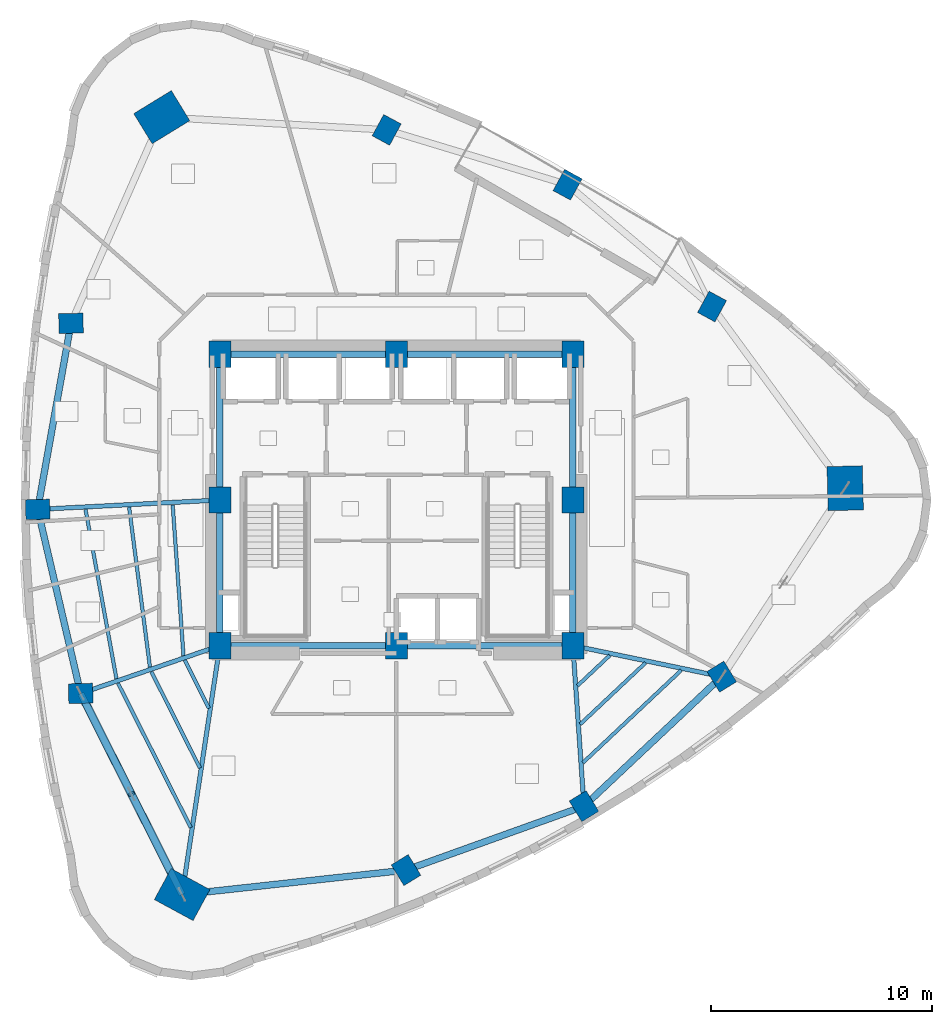
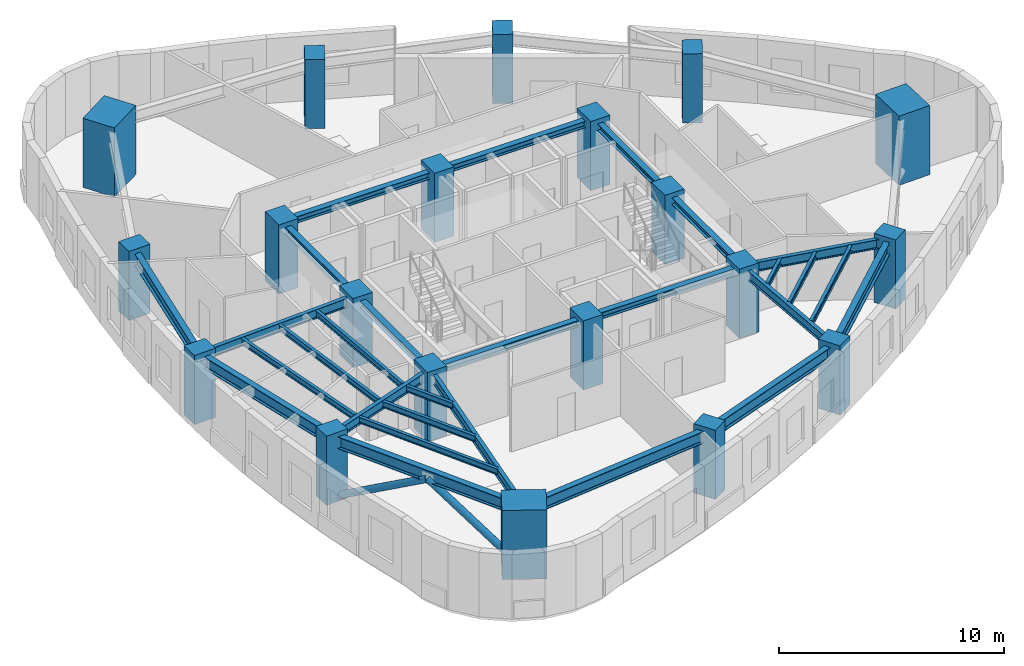
# One storey, part 1 of 14: 28 beams, 20 columns, 2 members.
"""IFC4 building model written with IfcOpenShell, lengths in metres."""

from ifc_helpers import new_model, si_unit, direction, frame, origin, origin_2d, place, context, subcontext, project, spatial, rectangle, hollow_circle, i_section, extrude, material, material_profile, profile_set, type_object, element, save


model = new_model("IFC4")

# Units and contexts
model_context = context("Model", 3, precision=1e-05, world=origin(), true_north=direction((0.0, 1.0)))
body_context = subcontext(model_context, "Body", "Model", "MODEL_VIEW")
ifc_project = project(units=[si_unit("LENGTHUNIT", "METRE"), si_unit("AREAUNIT", "SQUARE_METRE"), si_unit("VOLUMEUNIT", "CUBIC_METRE"), si_unit("PLANEANGLEUNIT", "RADIAN"), si_unit("MASSUNIT", "GRAM", prefix="KILO")], contexts=[model_context])

# Site, building, storey
site_placement = place(None, origin())
site = spatial("IfcSite", under=ifc_project, at=site_placement, CompositionType="ELEMENT")
building_placement = place(site_placement, origin())
building = spatial("IfcBuilding", under=site, at=building_placement, Name="Ndelora Gate Hotel", CompositionType="ELEMENT")
storey_placement = place(building_placement, frame((0.0, 0.0, 119.75)))
storey = spatial("IfcBuildingStorey", under=building, at=storey_placement, Name="L29", CompositionType="ELEMENT", Elevation=119.75)

# Columns
ifc_material_1 = material(Name="Concrete C60/75", Category="concrete")
ifc_material_profile_1 = material_profile(ifc_material_1, rectangle(XDim=1.0, YDim=1.199951171875, at=origin_2d()), Name="RC 1200x1000")
ifc_profile_set_1 = profile_set([ifc_material_profile_1], Name="Concrete C60/75")
column_type_1 = type_object("IfcColumnType", Name="COL-CC-MID", PredefinedType="COLUMN", material=ifc_profile_set_1)
for number, where, z_axis, x_axis, name in (
    (1, (-8.0, -6.60009765625, 0.0), (0.0, 0.0, 1.0), (1.0, 0.0, 0.0), "L29 Core Column CC1"),
    (2, (0.0, -6.60009765625, 0.0), (0.0, 0.0, 1.0), (1.0, 0.0, 0.0), "L29 Core Column CC2"),
    (3, (8.0, -6.60009765625, 0.0), (0.0, 0.0, 1.0), (1.0, 0.0, 0.0), "L29 Core Column CC3"),
    (4, (8.0, 0.0, 0.0), (0.0, 0.0, 1.0), (1.0, 0.0, 0.0), "L29 Core Column CC4"),
    (5, (8.0, 6.60009765625, 0.0), (0.0, 0.0, 1.0), (1.0, 0.0, 0.0), "L29 Core Column CC5"),
    (6, (0.0, 6.60009765625, 0.0), (0.0, 0.0, 1.0), (1.0, 0.0, 0.0), "L29 Core Column CC6"),
    (7, (-8.0, 6.60009765625, 0.0), (0.0, 0.0, 1.0), (1.0, 0.0, 0.0), "L29 Core Column CC7"),
    (8, (-8.0, 0.0, 0.0), (0.0, 0.0, 1.0), (1.0, 0.0, 0.0), "L29 Core Column CC8"),
):
    element("IfcColumn", number, at=place(storey_placement, frame(where, z_axis=z_axis, x_axis=x_axis)), inside=storey, type_object=column_type_1, Name=name, PredefinedType="COLUMN", context=body_context, shape_type="SweptSolid", body=[
        extrude(rectangle(XDim=1.0, YDim=1.199951171875, at=origin_2d()), origin(), (0.0, 0.0, 1.0), 3.75),
    ])
ifc_material_profile_2 = material_profile(ifc_material_1, rectangle(XDim=1.60009765625, YDim=2.0, at=origin_2d()), Name="RC 2000x1600")
ifc_profile_set_2 = profile_set([ifc_material_profile_2], Name="Concrete C60/75")
column_type_2 = type_object("IfcColumnType", Name="COL-MC-Z2", PredefinedType="COLUMN", material=ifc_profile_set_2)
for number, where, z_axis, x_axis, name in (
    (9, (-10.63330078125, 17.351806640625, 0.0), (0.0, 0.0, 1.0), (-0.522498564716, 0.852640164354, 0.0), "L29 Corner Mega-Column R1"),
    (10, (-9.71044921875, -17.884521484375, 0.0), (0.0, 0.0, 1.0), (0.47715876026, 0.878817112662, 0.0), "L29 Corner Mega-Column R5"),
    (11, (20.34375, 0.53271484375, 0.0), (0.0, 0.0, 1.0), (0.999657324976, 0.026176948308, 0.0), "L29 Corner Mega-Column R9"),
):
    element("IfcColumn", number, at=place(storey_placement, frame(where, z_axis=z_axis, x_axis=x_axis)), inside=storey, type_object=column_type_2, Name=name, PredefinedType="COLUMN", context=body_context, shape_type="SweptSolid", body=[
        extrude(rectangle(XDim=1.60009765625, YDim=2.0, at=origin_2d()), origin(), (0.0, 0.0, 1.0), 3.75),
    ])
ifc_material_profile_3 = material_profile(ifc_material_1, rectangle(XDim=0.89990234375, YDim=1.10009765625, at=origin_2d()), Name="RC 1100x900")
ifc_profile_set_3 = profile_set([ifc_material_profile_3], Name="Concrete C60/75")
column_type_3 = type_object("IfcColumnType", Name="COL-PT-Z2", PredefinedType="COLUMN", material=ifc_profile_set_3)
for number, where, z_axis, x_axis, name in (
    (12, (-14.74658203125, 8.006591796875, 0.0), (0.0, 0.0, 1.0), (-0.026176948308, 0.999657324976, 0.0), "L29 Perimeter Tube Column R2"),
    (13, (-16.25537109375, -0.42578125, 0.0), (0.0, 0.0, 1.0), (-0.026176948308, 0.999657324976, 0.0), "L29 Perimeter Tube Column R3"),
    (14, (-14.307373046875, -8.767578125, 0.0), (0.0, 0.0, 1.0), (-0.026176948308, 0.999657324976, 0.0), "L29 Perimeter Tube Column R4"),
    (15, (0.439208984375, -16.7744140625, 0.0), (0.0, 0.0, 1.0), (0.852640164354, 0.522498564716, 0.0), "L29 Perimeter Tube Column R6"),
    (16, (8.50439453125, -13.878173828125, 0.0), (0.0, 0.0, 1.0), (0.852640164354, 0.522498564716, 0.0), "L29 Perimeter Tube Column R7"),
    (17, (14.74658203125, -8.006591796875, 0.0), (0.0, 0.0, 1.0), (0.852640164354, 0.522498564716, 0.0), "L29 Perimeter Tube Column R8"),
    (18, (14.30712890625, 8.767333984375, 0.0), (0.0, 0.0, 1.0), (-0.878817112662, 0.47715876026, 0.0), "L29 Perimeter Tube Column R10"),
    (19, (7.759033203125, 14.290283203125, 0.0), (0.0, 0.0, 1.0), (-0.878817112662, 0.47715876026, 0.0), "L29 Perimeter Tube Column R11"),
    (20, (-0.439208984375, 16.7744140625, 0.0), (0.0, 0.0, 1.0), (-0.878817112662, 0.47715876026, 0.0), "L29 Perimeter Tube Column R12"),
):
    element("IfcColumn", number, at=place(storey_placement, frame(where, z_axis=z_axis, x_axis=x_axis)), inside=storey, type_object=column_type_3, Name=name, PredefinedType="COLUMN", context=body_context, shape_type="SweptSolid", body=[
        extrude(rectangle(XDim=0.89990234375, YDim=1.10009765625, at=origin_2d()), origin(), (0.0, 0.0, 1.0), 3.75),
    ])

# Beams
ifc_material_2 = material(Name="Steel S355", Category="steel")
ifc_material_profile_4 = material_profile(ifc_material_2, i_section(OverallWidth=0.300048828125, OverallDepth=0.360107421875, WebThickness=0.012451171875, FlangeThickness=0.0224609375, FilletRadius=0.027099609375, at=origin_2d()), Name="HEB 360")
ifc_profile_set_4 = profile_set([ifc_material_profile_4], Name="Steel S355")
beam_type_1 = type_object("IfcBeamType", Name="BM-CORE-360", PredefinedType="BEAM", material=ifc_profile_set_4)
for number, where, z_axis, x_axis, name in (
    (21, (-8.0, 6.60009765625, 3.320068359375), (1.0, 0.0, 0.0), (0.0, 1.0, 0.0), "L29 Core Tie Girder CC7-CC6"),
    (22, (0.0, 6.60009765625, 3.320068359375), (1.0, 0.0, 0.0), (0.0, 1.0, 0.0), "L29 Core Tie Girder CC6-CC5"),
):
    element("IfcBeam", number, at=place(storey_placement, frame(where, z_axis=z_axis, x_axis=x_axis)), inside=storey, type_object=beam_type_1, Name=name, PredefinedType="BEAM", context=body_context, shape_type="SweptSolid", body=[
        extrude(i_section(OverallWidth=0.300048828125, OverallDepth=0.360107421875, WebThickness=0.012451171875, FlangeThickness=0.0224609375, FilletRadius=0.027099609375, at=origin_2d()), origin(), (0.0, 0.0, 1.0), 8.0),
    ])
for number, where, z_axis, x_axis, name in (
    (23, (-8.0, -6.60009765625, 3.320068359375), (0.0, 1.0, 0.0), (-1.0, 0.0, 0.0), "L29 Core Tie Girder CC1-CC8"),
    (24, (-8.0, 0.0, 3.320068359375), (0.0, 1.0, 0.0), (-1.0, 0.0, 0.0), "L29 Core Tie Girder CC8-CC7"),
    (25, (8.0, -6.60009765625, 3.320068359375), (0.0, 1.0, 0.0), (-1.0, 0.0, 0.0), "L29 Core Tie Girder CC3-CC4"),
    (26, (8.0, 0.0, 3.320068359375), (0.0, 1.0, 0.0), (-1.0, 0.0, 0.0), "L29 Core Tie Girder CC4-CC5"),
):
    element("IfcBeam", number, at=place(storey_placement, frame(where, z_axis=z_axis, x_axis=x_axis)), inside=storey, type_object=beam_type_1, Name=name, PredefinedType="BEAM", context=body_context, shape_type="SweptSolid", body=[
        extrude(i_section(OverallWidth=0.300048828125, OverallDepth=0.360107421875, WebThickness=0.012451171875, FlangeThickness=0.0224609375, FilletRadius=0.027099609375, at=origin_2d()), origin(), (0.0, 0.0, 1.0), 6.60009765625),
    ])
for number, where, z_axis, x_axis, name in (
    (27, (-8.0, -6.60009765625, 3.320068359375), (1.0, 0.0, 0.0), (0.0, 1.0, 0.0), "L29 Core Tie Girder CC1-CC2"),
    (28, (0.0, -6.60009765625, 3.320068359375), (1.0, 0.0, 0.0), (0.0, 1.0, 0.0), "L29 Core Tie Girder CC2-CC3"),
):
    element("IfcBeam", number, at=place(storey_placement, frame(where, z_axis=z_axis, x_axis=x_axis)), inside=storey, type_object=beam_type_1, Name=name, PredefinedType="BEAM", context=body_context, shape_type="SweptSolid", body=[
        extrude(i_section(OverallWidth=0.300048828125, OverallDepth=0.360107421875, WebThickness=0.012451171875, FlangeThickness=0.0224609375, FilletRadius=0.027099609375, at=origin_2d()), origin(), (0.0, 0.0, 1.0), 8.0),
    ])
ifc_material_profile_5 = material_profile(ifc_material_2, i_section(OverallWidth=0.159912109375, OverallDepth=0.330078125, WebThickness=0.007568359375, FlangeThickness=0.011474609375, FilletRadius=0.01806640625, at=origin_2d()), Name="IPE 330")
ifc_profile_set_5 = profile_set([ifc_material_profile_5], Name="Steel S355")
beam_type_2 = type_object("IfcBeamType", Name="BM-JST-330", PredefinedType="JOIST", material=ifc_profile_set_5)
beam_1_placement = place(storey_placement, frame((-10.138427734375, -0.220458984375, 3.3349609375), z_axis=(0.07162945927, -0.997431311201, 0.0), x_axis=(0.997431311201, 0.07162945927, 0.0)))
element("IfcBeam", 29, at=beam_1_placement, inside=storey, type_object=beam_type_2, Name="L29 Secondary Composite Floor Joist IN-3", PredefinedType="JOIST", context=body_context, shape_type="SweptSolid", body=[
    extrude(i_section(OverallWidth=0.159912109375, OverallDepth=0.330078125, WebThickness=0.007568359375, FlangeThickness=0.011474609375, FilletRadius=0.01806640625, at=origin_2d()), origin(), (0.0, 0.0, 1.0), 6.850830078125),
])
beam_2_placement = place(storey_placement, frame((-12.113525390625, -0.322021484375, 3.3349609375), z_axis=(0.12927924943, -0.991608226906, 0.0), x_axis=(0.991608226906, 0.12927924943, 0.0)))
element("IfcBeam", 30, at=beam_2_placement, inside=storey, type_object=beam_type_2, Name="L29 Secondary Composite Floor Joist MID-3", PredefinedType="JOIST", context=body_context, shape_type="SweptSolid", body=[
    extrude(i_section(OverallWidth=0.159912109375, OverallDepth=0.330078125, WebThickness=0.007568359375, FlangeThickness=0.011474609375, FilletRadius=0.01806640625, at=origin_2d()), origin(), (0.0, 0.0, 1.0), 7.31396484375),
])
beam_3_placement = place(storey_placement, frame((-14.089111328125, -0.423095703125, 3.3349609375), z_axis=(0.179733770179, -0.983715290039, 0.0), x_axis=(0.983715290039, 0.179733770179, 0.0)))
element("IfcBeam", 31, at=beam_3_placement, inside=storey, type_object=beam_type_2, Name="L29 Secondary Composite Floor Joist OUT-3", PredefinedType="JOIST", context=body_context, shape_type="SweptSolid", body=[
    extrude(i_section(OverallWidth=0.159912109375, OverallDepth=0.330078125, WebThickness=0.007568359375, FlangeThickness=0.011474609375, FilletRadius=0.01806640625, at=origin_2d()), origin(), (0.0, 0.0, 1.0), 7.799560546875),
])
beam_4_placement = place(storey_placement, frame((-9.59033203125, -7.26171875, 3.3349609375), z_axis=(0.450139260243, -0.892958367668, 0.0), x_axis=(0.892958367668, 0.450139260243, 0.0)))
element("IfcBeam", 32, at=beam_4_placement, inside=storey, type_object=beam_type_2, Name="L29 Secondary Composite Floor Joist IN-4", PredefinedType="JOIST", context=body_context, shape_type="SweptSolid", body=[
    extrude(i_section(OverallWidth=0.159912109375, OverallDepth=0.330078125, WebThickness=0.007568359375, FlangeThickness=0.011474609375, FilletRadius=0.01806640625, at=origin_2d()), origin(), (0.0, 0.0, 1.0), 2.4345703125),
])
beam_5_placement = place(storey_placement, frame((-11.10400390625, -7.781982421875, 3.3349609375), z_axis=(0.450189724408, -0.892932926953, 0.0), x_axis=(0.892932926953, 0.450189724408, 0.0)))
element("IfcBeam", 33, at=beam_5_placement, inside=storey, type_object=beam_type_2, Name="L29 Secondary Composite Floor Joist MID-4", PredefinedType="JOIST", context=body_context, shape_type="SweptSolid", body=[
    extrude(i_section(OverallWidth=0.159912109375, OverallDepth=0.330078125, WebThickness=0.007568359375, FlangeThickness=0.011474609375, FilletRadius=0.01806640625, at=origin_2d()), origin(), (0.0, 0.0, 1.0), 4.885009765625),
])
beam_6_placement = place(storey_placement, frame((-12.617919921875, -8.30224609375, 3.3349609375), z_axis=(0.45023300903, -0.892911102843, 0.0), x_axis=(0.892911102843, 0.45023300903, 0.0)))
element("IfcBeam", 34, at=beam_6_placement, inside=storey, type_object=beam_type_2, Name="L29 Secondary Composite Floor Joist OUT-4", PredefinedType="JOIST", context=body_context, shape_type="SweptSolid", body=[
    extrude(i_section(OverallWidth=0.159912109375, OverallDepth=0.330078125, WebThickness=0.007568359375, FlangeThickness=0.011474609375, FilletRadius=0.01806640625, at=origin_2d()), origin(), (0.0, 0.0, 1.0), 7.335693359375),
])
beam_7_placement = place(storey_placement, frame((8.211181640625, -8.4169921875, 3.3349609375), z_axis=(0.728414088998, 0.685137150466, 0.0), x_axis=(-0.685137150466, 0.728414088998, 0.0)))
element("IfcBeam", 35, at=beam_7_placement, inside=storey, type_object=beam_type_2, Name="L29 Secondary Composite Floor Joist IN-7", PredefinedType="JOIST", context=body_context, shape_type="SweptSolid", body=[
    extrude(i_section(OverallWidth=0.159912109375, OverallDepth=0.330078125, WebThickness=0.007568359375, FlangeThickness=0.011474609375, FilletRadius=0.01806640625, at=origin_2d()), origin(), (0.0, 0.0, 1.0), 2.00830078125),
])
beam_8_placement = place(storey_placement, frame((8.33251953125, -10.163818359375, 3.3349609375), z_axis=(0.728369245526, 0.685184823366, 0.0), x_axis=(-0.685184823366, 0.728369245526, 0.0)))
element("IfcBeam", 36, at=beam_8_placement, inside=storey, type_object=beam_type_2, Name="L29 Secondary Composite Floor Joist MID-7", PredefinedType="JOIST", context=body_context, shape_type="SweptSolid", body=[
    extrude(i_section(OverallWidth=0.159912109375, OverallDepth=0.330078125, WebThickness=0.007568359375, FlangeThickness=0.011474609375, FilletRadius=0.01806640625, at=origin_2d()), origin(), (0.0, 0.0, 1.0), 4.06494140625),
])
beam_9_placement = place(storey_placement, frame((8.45361328125, -11.910400390625, 3.3349609375), z_axis=(0.728393161111, 0.68515939959, 0.0), x_axis=(-0.68515939959, 0.728393161111, 0.0)))
element("IfcBeam", 37, at=beam_9_placement, inside=storey, type_object=beam_type_2, Name="L29 Secondary Composite Floor Joist OUT-7", PredefinedType="JOIST", context=body_context, shape_type="SweptSolid", body=[
    extrude(i_section(OverallWidth=0.159912109375, OverallDepth=0.330078125, WebThickness=0.007568359375, FlangeThickness=0.011474609375, FilletRadius=0.01806640625, at=origin_2d()), origin(), (0.0, 0.0, 1.0), 6.121337890625),
])
ifc_material_profile_6 = material_profile(ifc_material_2, i_section(OverallWidth=0.199951171875, OverallDepth=0.5, WebThickness=0.01025390625, FlangeThickness=0.01611328125, FilletRadius=0.02099609375, at=origin_2d()), Name="IPE 500")
ifc_profile_set_6 = profile_set([ifc_material_profile_6], Name="Steel S355")
beam_type_3 = type_object("IfcBeamType", Name="BM-RAD-500", PredefinedType="BEAM", material=ifc_profile_set_6)
beam_10_placement = place(storey_placement, frame((-8.0, 0.0, 3.25), z_axis=(-0.998672591881, -0.051507807424, 0.0), x_axis=(0.051507807424, -0.998672591881, 0.0)))
element("IfcBeam", 38, at=beam_10_placement, inside=storey, type_object=beam_type_3, Name="L29 Radial Floor Girder 3", PredefinedType="BEAM", context=body_context, shape_type="SweptSolid", body=[
    extrude(i_section(OverallWidth=0.199951171875, OverallDepth=0.5, WebThickness=0.01025390625, FlangeThickness=0.01611328125, FilletRadius=0.02099609375, at=origin_2d()), origin(), (0.0, 0.0, 1.0), 8.266357421875),
])
beam_11_placement = place(storey_placement, frame((-8.0, -6.60009765625, 3.25), z_axis=(-0.945717893913, -0.324988715392, 0.0), x_axis=(0.324988715392, -0.945717893913, 0.0)))
element("IfcBeam", 39, at=beam_11_placement, inside=storey, type_object=beam_type_3, Name="L29 Radial Floor Girder 4", PredefinedType="BEAM", context=body_context, shape_type="SweptSolid", body=[
    extrude(i_section(OverallWidth=0.199951171875, OverallDepth=0.5, WebThickness=0.01025390625, FlangeThickness=0.01611328125, FilletRadius=0.02099609375, at=origin_2d()), origin(), (0.0, 0.0, 1.0), 6.66943359375),
])
beam_12_placement = place(storey_placement, frame((-8.0, -6.60009765625, 3.25), z_axis=(-0.149864309615, -0.988706573612, 0.0), x_axis=(0.988706573612, -0.149864309615, 0.0)))
element("IfcBeam", 40, at=beam_12_placement, inside=storey, type_object=beam_type_3, Name="L29 Radial Floor Girder 5", PredefinedType="BEAM", context=body_context, shape_type="SweptSolid", body=[
    extrude(i_section(OverallWidth=0.199951171875, OverallDepth=0.5, WebThickness=0.01025390625, FlangeThickness=0.01611328125, FilletRadius=0.02099609375, at=origin_2d()), origin(), (0.0, 0.0, 1.0), 11.413330078125),
])
beam_13_placement = place(storey_placement, frame((8.0, -6.60009765625, 3.25), z_axis=(0.069137444551, -0.997607144001, 0.0), x_axis=(0.997607144001, 0.069137444551, 0.0)))
element("IfcBeam", 41, at=beam_13_placement, inside=storey, type_object=beam_type_3, Name="L29 Radial Floor Girder 7", PredefinedType="BEAM", context=body_context, shape_type="SweptSolid", body=[
    extrude(i_section(OverallWidth=0.199951171875, OverallDepth=0.5, WebThickness=0.01025390625, FlangeThickness=0.01611328125, FilletRadius=0.02099609375, at=origin_2d()), origin(), (0.0, 0.0, 1.0), 7.295654296875),
])
beam_14_placement = place(storey_placement, frame((8.0, -6.60009765625, 3.25), z_axis=(0.978952706778, -0.204087231083, 0.0), x_axis=(0.204087231083, 0.978952706778, 0.0)))
element("IfcBeam", 42, at=beam_14_placement, inside=storey, type_object=beam_type_3, Name="L29 Radial Floor Girder 8", PredefinedType="BEAM", context=body_context, shape_type="SweptSolid", body=[
    extrude(i_section(OverallWidth=0.199951171875, OverallDepth=0.5, WebThickness=0.01025390625, FlangeThickness=0.01611328125, FilletRadius=0.02099609375, at=origin_2d()), origin(), (0.0, 0.0, 1.0), 6.8916015625),
])
ifc_material_profile_7 = material_profile(ifc_material_2, i_section(OverallWidth=0.300048828125, OverallDepth=0.64990234375, WebThickness=0.01611328125, FlangeThickness=0.031005859375, FilletRadius=0.027099609375, at=origin_2d()), Name="HEB 650")
ifc_profile_set_7 = profile_set([ifc_material_profile_7], Name="Steel S355")
beam_type_4 = type_object("IfcBeamType", Name="BM-RING-650", PredefinedType="SPANDREL", material=ifc_profile_set_7)
beam_15_placement = place(storey_placement, frame((-14.74658203125, 8.006591796875, 3.175048828125), z_axis=(-0.176130938817, -0.984366746894, 0.0), x_axis=(0.984366746894, -0.176130938817, 0.0)))
element("IfcBeam", 43, at=beam_15_placement, inside=storey, type_object=beam_type_4, Name="L29 Perimeter Spandrel Girder 2", PredefinedType="SPANDREL", context=body_context, shape_type="SweptSolid", body=[
    extrude(i_section(OverallWidth=0.300048828125, OverallDepth=0.64990234375, WebThickness=0.01611328125, FlangeThickness=0.031005859375, FilletRadius=0.027099609375, at=origin_2d()), origin(), (0.0, 0.0, 1.0), 8.56640625),
])
beam_16_placement = place(storey_placement, frame((-16.25537109375, -0.42578125, 3.175048828125), z_axis=(0.227404398157, -0.973800410607, 0.0), x_axis=(0.973800410607, 0.227404398157, 0.0)))
element("IfcBeam", 44, at=beam_16_placement, inside=storey, type_object=beam_type_4, Name="L29 Perimeter Spandrel Girder 3", PredefinedType="SPANDREL", context=body_context, shape_type="SweptSolid", body=[
    extrude(i_section(OverallWidth=0.300048828125, OverallDepth=0.64990234375, WebThickness=0.01611328125, FlangeThickness=0.031005859375, FilletRadius=0.027099609375, at=origin_2d()), origin(), (0.0, 0.0, 1.0), 8.566162109375),
])
for number, where, z_axis, x_axis, name in (
    (45, (-14.307373046875, -8.767578125, 3.175048828125), (0.450223868811, -0.892915711561, 0.0), (0.892915711561, 0.450223868811, 0.0), "L29 Perimeter Spandrel Girder 4"),
    (46, (-9.71044921875, -17.884521484375, 3.175048828125), (0.994071812898, 0.108725483685, 0.0), (-0.108725483685, 0.994071812898, 0.0), "L29 Perimeter Spandrel Girder 5"),
):
    element("IfcBeam", number, at=place(storey_placement, frame(where, z_axis=z_axis, x_axis=x_axis)), inside=storey, type_object=beam_type_4, Name=name, PredefinedType="SPANDREL", context=body_context, shape_type="SweptSolid", body=[
        extrude(i_section(OverallWidth=0.300048828125, OverallDepth=0.64990234375, WebThickness=0.01611328125, FlangeThickness=0.031005859375, FilletRadius=0.027099609375, at=origin_2d()), origin(), (0.0, 0.0, 1.0), 10.210205078125),
    ])
beam_17_placement = place(storey_placement, frame((0.439208984375, -16.7744140625, 3.175048828125), z_axis=(0.941155870835, 0.337972819607, 0.0), x_axis=(-0.337972819607, 0.941155870835, 0.0)))
element("IfcBeam", 47, at=beam_17_placement, inside=storey, type_object=beam_type_4, Name="L29 Perimeter Spandrel Girder 6", PredefinedType="SPANDREL", context=body_context, shape_type="SweptSolid", body=[
    extrude(i_section(OverallWidth=0.300048828125, OverallDepth=0.64990234375, WebThickness=0.01611328125, FlangeThickness=0.031005859375, FilletRadius=0.027099609375, at=origin_2d()), origin(), (0.0, 0.0, 1.0), 8.5693359375),
])
beam_18_placement = place(storey_placement, frame((8.50439453125, -13.878173828125, 3.175048828125), z_axis=(0.728399016952, 0.68515317419, 0.0), x_axis=(-0.68515317419, 0.728399016952, 0.0)))
element("IfcBeam", 48, at=beam_18_placement, inside=storey, type_object=beam_type_4, Name="L29 Perimeter Spandrel Girder 7", PredefinedType="SPANDREL", context=body_context, shape_type="SweptSolid", body=[
    extrude(i_section(OverallWidth=0.300048828125, OverallDepth=0.64990234375, WebThickness=0.01611328125, FlangeThickness=0.031005859375, FilletRadius=0.027099609375, at=origin_2d()), origin(), (0.0, 0.0, 1.0), 8.56982421875),
])

# Members
ifc_material_profile_8 = material_profile(ifc_material_2, hollow_circle(Radius=0.177978515625, WallThickness=0.01611328125, at=origin_2d()), Name="CHS 356x16")
ifc_profile_set_8 = profile_set([ifc_material_profile_8], Name="Steel S355")
member_type = type_object("IfcMemberType", Name="MB-TUBE-356", PredefinedType="BRACE", material=ifc_profile_set_8)
for number, where, z_axis, x_axis, name in (
    (49, (-14.307373046875, -8.767578125, 0.02001953125), (0.390508461166, -0.774422037007, 0.497768671529), (0.892901251526, 0.450252545826, 0.0), "L29 Perimeter Braced-Tube Diagonal 4A"),
    (50, (-9.71044921875, -17.884521484375, 0.02001953125), (-0.390460765703, 0.774451180922, 0.49776074455), (-0.89293017037, -0.450195191938, 0.0), "L29 Perimeter Braced-Tube Diagonal 4B"),
):
    element("IfcMember", number, at=place(storey_placement, frame(where, z_axis=z_axis, x_axis=x_axis)), inside=storey, type_object=member_type, Name=name, PredefinedType="BRACE", context=body_context, shape_type="SweptSolid", body=[
        extrude(hollow_circle(Radius=0.177978515625, WallThickness=0.01611328125, at=origin_2d()), origin(), (0.0, 0.0, 1.0), 5.88623046875),
    ])

save(model, "model.ifc")
